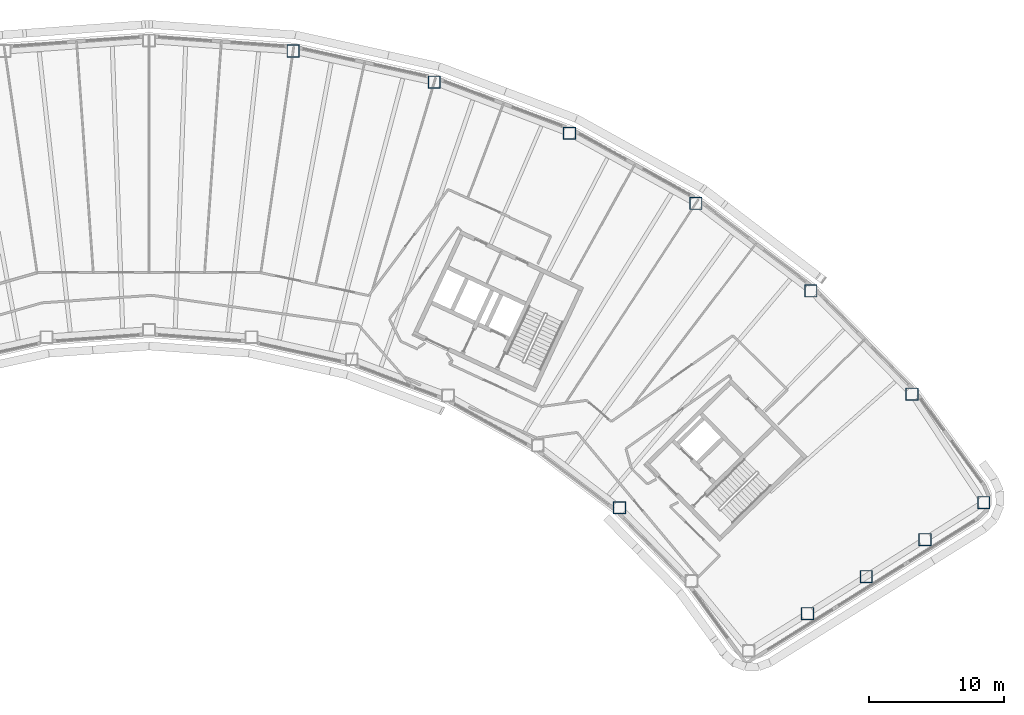
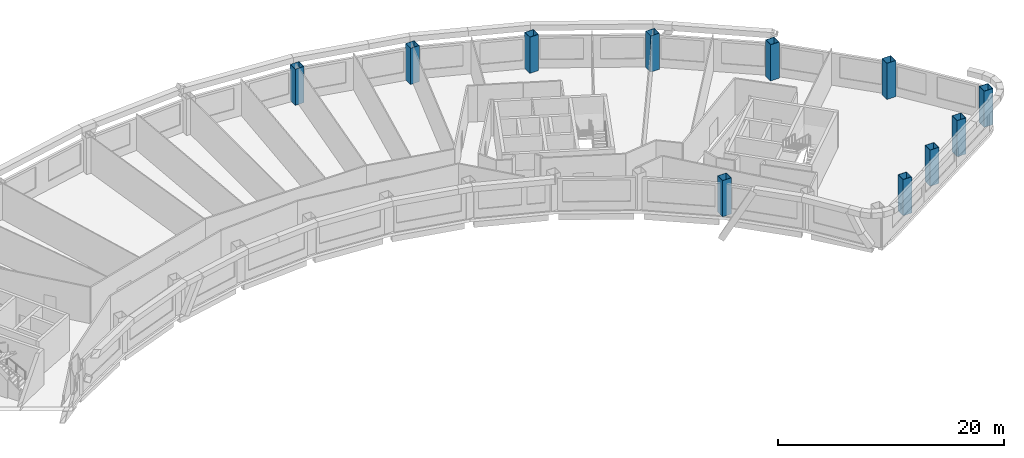
# One storey, part 2 of 14: 11 columns.
"""IFC4 building model written with IfcOpenShell, lengths in metres."""

from ifc_helpers import new_model, si_unit, direction, frame, origin, origin_2d, place, context, subcontext, project, spatial, hollow_rectangle, extrude, material, material_profile, profile_set, type_object, element, save


model = new_model("IFC4")

# Units and contexts
model_context = context("Model", 3, precision=1e-05, world=origin(), true_north=direction((0.0, 1.0)))
body_context = subcontext(model_context, "Body", "Model", "MODEL_VIEW")
ifc_project = project(units=[si_unit("LENGTHUNIT", "METRE"), si_unit("AREAUNIT", "SQUARE_METRE"), si_unit("VOLUMEUNIT", "CUBIC_METRE"), si_unit("PLANEANGLEUNIT", "RADIAN"), si_unit("MASSUNIT", "GRAM", prefix="KILO")], contexts=[model_context])

# Site, building, storey
site_placement = place(None, origin())
site = spatial("IfcSite", under=ifc_project, at=site_placement, CompositionType="ELEMENT")
building_placement = place(site_placement, origin())
building = spatial("IfcBuilding", under=site, at=building_placement, Name="Tuul Gate Civic Tower", CompositionType="ELEMENT")
storey_placement = place(building_placement, frame((0.0, 0.0, 213.699951171875)))
storey = spatial("IfcBuildingStorey", under=building, at=storey_placement, Name="Level 48", CompositionType="ELEMENT", Elevation=213.699951171875)

# Columns
ifc_material = material(Name="Steel S355", Category="steel")
ifc_material_profile = material_profile(ifc_material, hollow_rectangle(XDim=0.89990234375, YDim=0.89990234375, WallThickness=0.031982421875, at=origin_2d()), Name="BOX900x900x32")
ifc_profile_set = profile_set([ifc_material_profile], Name="Steel S355")
column_type = type_object("IfcColumnType", Name="STR-COLUMN-BOX900x900x32", PredefinedType="COLUMN", material=ifc_profile_set)
for number, where, z_axis, x_axis, name in (
    (1, (67.611083984375, -15.56298828125, 0.0), (0.0, 0.0, 1.0), (1.0, 0.0, 0.0), "Column"),
    (2, (62.31201171875, -7.550048828125, 0.0), (0.0, 0.0, 1.0), (1.0, 0.0, 0.0), "Column"),
    (3, (54.8369140625, 0.074951171875, 0.0), (0.0, 0.0, 1.0), (1.0, 0.0, 0.0), "Column"),
    (4, (46.342041015625, 6.54296875, 0.0), (0.0, 0.0, 1.0), (1.0, 0.0, 0.0), "Column"),
    (5, (37.0029296875, 11.718994140625, 0.0), (0.0, 0.0, 1.0), (1.0, 0.0, 0.0), "Column"),
    (6, (27.01611328125, 15.49609375, 0.0), (0.0, 0.0, 1.0), (1.0, 0.0, 0.0), "Column"),
    (7, (16.589111328125, 17.7939453125, 0.0), (0.0, 0.0, 1.0), (1.0, 0.0, 0.0), "Column"),
    (8, (40.7060546875, -15.93798828125, 0.0), (0.0, 0.0, 1.0), (1.0, 0.0, 0.0), "Column"),
    (9, (54.5830078125, -23.76708984375, 0.0), (0.0, 0.0, 1.0), (1.0, 0.0, 0.0), "Column"),
    (10, (58.926025390625, -21.031982421875, 0.0), (0.0, 0.0, 1.0), (1.0, 0.0, 0.0), "Column"),
    (11, (63.26806640625, -18.297119140625, 0.0), (0.0, 0.0, 1.0), (1.0, 0.0, 0.0), "Column"),
):
    element("IfcColumn", number, at=place(storey_placement, frame(where, z_axis=z_axis, x_axis=x_axis)), inside=storey, type_object=column_type, Name=name, PredefinedType="COLUMN", context=body_context, shape_type="SweptSolid", body=[
        extrude(hollow_rectangle(XDim=0.89990234375, YDim=0.89990234375, WallThickness=0.031982421875, at=origin_2d()), origin(), (0.0, 0.0, 1.0), 3.900146484375),
    ])

save(model, "model.ifc")
